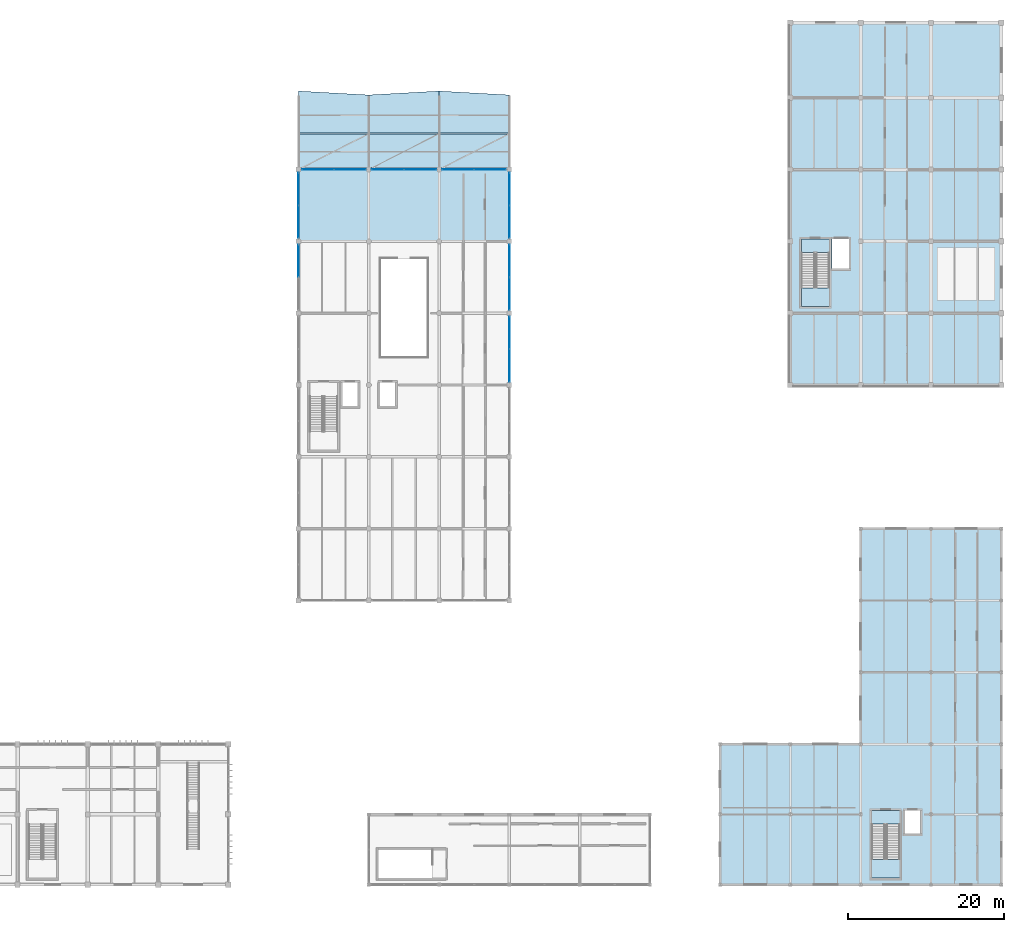
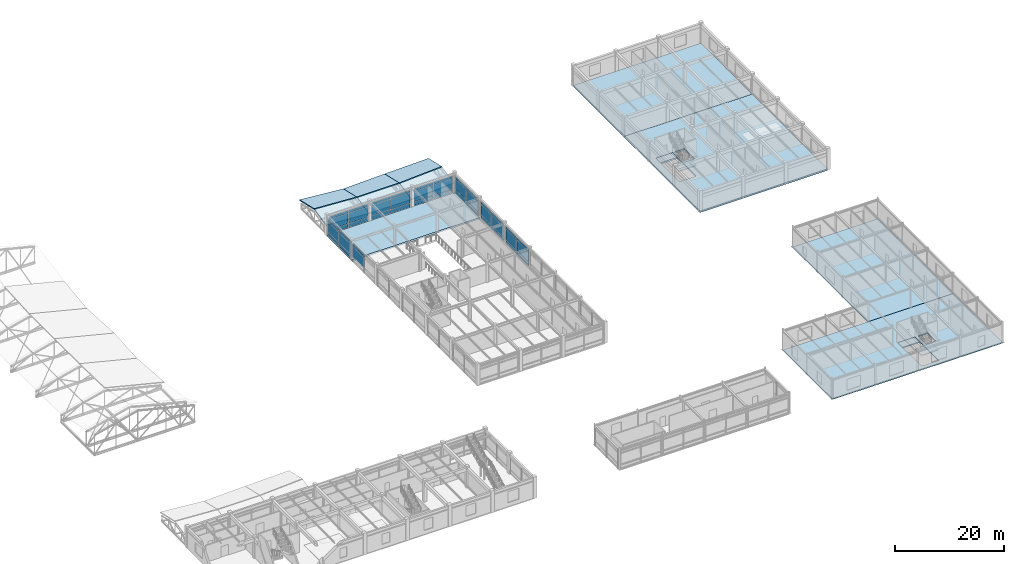
# One storey, part 37 of 61: 44 plates, 15 slabs, 10 elements without a shape of their own.
"""IFC4 building model written with IfcOpenShell, lengths in metres."""

from ifc_helpers import new_model, si_unit, direction, frame, origin, origin_2d, place, context, subcontext, project, spatial, polyline, rectangle, outline, extrude, material, layer, layer_set, type_object, element, aggregate, save


model = new_model("IFC4")

# Units and contexts
model_context = context("Model", 3, precision=1e-05, world=origin(), true_north=direction((0.0, 1.0)))
body_context = subcontext(model_context, "Body", "Model", "MODEL_VIEW")
ifc_project = project(units=[si_unit("LENGTHUNIT", "METRE"), si_unit("AREAUNIT", "SQUARE_METRE"), si_unit("VOLUMEUNIT", "CUBIC_METRE"), si_unit("PLANEANGLEUNIT", "RADIAN"), si_unit("MASSUNIT", "GRAM", prefix="KILO")], contexts=[model_context])

# Site, building, storey
site_placement = place(None, origin())
site = spatial("IfcSite", under=ifc_project, at=site_placement, CompositionType="ELEMENT")
building_placement = place(site_placement, origin())
building = spatial("IfcBuilding", under=site, at=building_placement, Name="Bozkorgan Art Gallery", CompositionType="ELEMENT")
storey_placement = place(building_placement, frame((0.0, 0.0, 10.199951171875)))
storey = spatial("IfcBuildingStorey", under=building, at=storey_placement, Name="L02", CompositionType="ELEMENT", Elevation=10.199951171875)

# Curtain wall, plates
ifc_material_1 = material(Name="Anodised Bronze Aluminium", Category="aluminium")
curtain_wall_type_1 = type_object("IfcCurtainWallType", Name="CW-CW-65", PredefinedType="NOTDEFINED", material=ifc_material_1)
curtain_wall_1_placement = place(storey_placement, origin())
curtain_wall_1 = element("IfcCurtainWall", 1, at=curtain_wall_1_placement, inside=storey, type_object=curtain_wall_type_1, Name="L02 unitised curtain wall CW-V4-L02-1N-02", PredefinedType="NOTDEFINED")
ifc_material_2 = material(Name="Triple Low-E Laminated Glass", Category="glass")
ifc_layer_1 = layer(ifc_material_2, 0.0439453125, Name="Triple Low-E Laminated Glass")
ifc_layer_set_1 = layer_set([ifc_layer_1], Name="Triple Low-E Laminated Glass")
plate_type = type_object("IfcPlateType", Name="CWP-GLZ", PredefinedType="CURTAIN_PANEL", material=ifc_layer_set_1)
plate_1_placement = place(storey_placement, frame((76.4638671875, 93.60009765625, 0.094970703125), z_axis=(0.0, 0.0, 1.0), x_axis=(1.0, 0.0, 0.0)))
plate_1 = element("IfcPlate", 2, at=plate_1_placement, type_object=plate_type, Name="CW-65 panel 1.1", PredefinedType="CURTAIN_PANEL", context=body_context, shape_type="SweptSolid", body=[
    extrude(rectangle(XDim=4.047607421875, YDim=0.0439453125, at=origin_2d()), origin(), (0.0, 0.0, 1.0), 0.78759765625),
])
plate_2_placement = place(storey_placement, frame((76.4638671875, 93.60009765625, 0.95751953125), z_axis=(0.0, 0.0, 1.0), x_axis=(1.0, 0.0, 0.0)))
plate_2 = element("IfcPlate", 3, at=plate_2_placement, type_object=plate_type, Name="CW-65 panel 1.2", PredefinedType="CURTAIN_PANEL", context=body_context, shape_type="SweptSolid", body=[
    extrude(rectangle(XDim=4.047607421875, YDim=0.0439453125, at=origin_2d()), origin(), (0.0, 0.0, 1.0), 2.280029296875),
])
plate_3_placement = place(storey_placement, frame((76.4638671875, 93.60009765625, 3.3125), z_axis=(0.0, 0.0, 1.0), x_axis=(1.0, 0.0, 0.0)))
plate_3 = element("IfcPlate", 4, at=plate_3_placement, type_object=plate_type, Name="CW-65 panel 1.3", PredefinedType="CURTAIN_PANEL", context=body_context, shape_type="SweptSolid", body=[
    extrude(rectangle(XDim=4.047607421875, YDim=0.0439453125, at=origin_2d()), origin(), (0.0, 0.0, 1.0), 0.53759765625),
])
plate_4_placement = place(storey_placement, frame((80.586181640625, 93.60009765625, 0.094970703125), z_axis=(0.0, 0.0, 1.0), x_axis=(1.0, 0.0, 0.0)))
plate_4 = element("IfcPlate", 5, at=plate_4_placement, type_object=plate_type, Name="CW-65 panel 2.1", PredefinedType="CURTAIN_PANEL", context=body_context, shape_type="SweptSolid", body=[
    extrude(rectangle(XDim=4.047607421875, YDim=0.0439453125, at=origin_2d()), origin(), (0.0, 0.0, 1.0), 0.78759765625),
])
plate_5_placement = place(storey_placement, frame((80.586181640625, 93.60009765625, 0.95751953125), z_axis=(0.0, 0.0, 1.0), x_axis=(1.0, 0.0, 0.0)))
plate_5 = element("IfcPlate", 6, at=plate_5_placement, type_object=plate_type, Name="CW-65 panel 2.2", PredefinedType="CURTAIN_PANEL", context=body_context, shape_type="SweptSolid", body=[
    extrude(rectangle(XDim=4.047607421875, YDim=0.0439453125, at=origin_2d()), origin(), (0.0, 0.0, 1.0), 2.280029296875),
])
plate_6_placement = place(storey_placement, frame((80.586181640625, 93.60009765625, 3.3125), z_axis=(0.0, 0.0, 1.0), x_axis=(1.0, 0.0, 0.0)))
plate_6 = element("IfcPlate", 7, at=plate_6_placement, type_object=plate_type, Name="CW-65 panel 2.3", PredefinedType="CURTAIN_PANEL", context=body_context, shape_type="SweptSolid", body=[
    extrude(rectangle(XDim=4.047607421875, YDim=0.0439453125, at=origin_2d()), origin(), (0.0, 0.0, 1.0), 0.53759765625),
])
aggregate(curtain_wall_1, [plate_1, plate_2, plate_3, plate_4, plate_5, plate_6])

curtain_wall_type_2 = type_object("IfcCurtainWallType", Name="CW-CW-43", PredefinedType="NOTDEFINED", material=ifc_material_1)
curtain_wall_2_placement = place(storey_placement, origin())
curtain_wall_2 = element("IfcCurtainWall", 8, at=curtain_wall_2_placement, inside=storey, type_object=curtain_wall_type_2, Name="L02 unitised curtain wall CW-V4-L02-1N-04", PredefinedType="NOTDEFINED")
plate_7_placement = place(storey_placement, frame((85.42626953125, 93.60009765625, 0.10009765625), z_axis=(0.0, 0.0, 1.0), x_axis=(1.0, 0.0, 0.0)))
plate_7 = element("IfcPlate", 9, at=plate_7_placement, type_object=plate_type, Name="CW-43 panel 1.1", PredefinedType="CURTAIN_PANEL", context=body_context, shape_type="SweptSolid", body=[
    extrude(rectangle(XDim=4.072509765625, YDim=0.0439453125, at=origin_2d()), origin(), (0.0, 0.0, 1.0), 0.780029296875),
])
plate_8_placement = place(storey_placement, frame((85.42626953125, 93.60009765625, 0.960205078125), z_axis=(0.0, 0.0, 1.0), x_axis=(1.0, 0.0, 0.0)))
plate_8 = element("IfcPlate", 10, at=plate_8_placement, type_object=plate_type, Name="CW-43 panel 1.2", PredefinedType="CURTAIN_PANEL", context=body_context, shape_type="SweptSolid", body=[
    extrude(rectangle(XDim=4.072509765625, YDim=0.0439453125, at=origin_2d()), origin(), (0.0, 0.0, 1.0), 2.27490234375),
])
plate_9_placement = place(storey_placement, frame((85.42626953125, 93.60009765625, 3.31494140625), z_axis=(0.0, 0.0, 1.0), x_axis=(1.0, 0.0, 0.0)))
plate_9 = element("IfcPlate", 11, at=plate_9_placement, type_object=plate_type, Name="CW-43 panel 1.3", PredefinedType="CURTAIN_PANEL", context=body_context, shape_type="SweptSolid", body=[
    extrude(rectangle(XDim=4.072509765625, YDim=0.0439453125, at=origin_2d()), origin(), (0.0, 0.0, 1.0), 0.530029296875),
])
plate_10_placement = place(storey_placement, frame((89.57373046875, 93.60009765625, 0.10009765625), z_axis=(0.0, 0.0, 1.0), x_axis=(1.0, 0.0, 0.0)))
plate_10 = element("IfcPlate", 12, at=plate_10_placement, type_object=plate_type, Name="CW-43 panel 2.1", PredefinedType="CURTAIN_PANEL", context=body_context, shape_type="SweptSolid", body=[
    extrude(rectangle(XDim=4.072509765625, YDim=0.0439453125, at=origin_2d()), origin(), (0.0, 0.0, 1.0), 0.780029296875),
])
plate_11_placement = place(storey_placement, frame((89.57373046875, 93.60009765625, 0.960205078125), z_axis=(0.0, 0.0, 1.0), x_axis=(1.0, 0.0, 0.0)))
plate_11 = element("IfcPlate", 13, at=plate_11_placement, type_object=plate_type, Name="CW-43 panel 2.2", PredefinedType="CURTAIN_PANEL", context=body_context, shape_type="SweptSolid", body=[
    extrude(rectangle(XDim=4.072509765625, YDim=0.0439453125, at=origin_2d()), origin(), (0.0, 0.0, 1.0), 2.27490234375),
])
plate_12_placement = place(storey_placement, frame((89.57373046875, 93.60009765625, 3.31494140625), z_axis=(0.0, 0.0, 1.0), x_axis=(1.0, 0.0, 0.0)))
plate_12 = element("IfcPlate", 14, at=plate_12_placement, type_object=plate_type, Name="CW-43 panel 2.3", PredefinedType="CURTAIN_PANEL", context=body_context, shape_type="SweptSolid", body=[
    extrude(rectangle(XDim=4.072509765625, YDim=0.0439453125, at=origin_2d()), origin(), (0.0, 0.0, 1.0), 0.530029296875),
])
aggregate(curtain_wall_2, [plate_7, plate_8, plate_9, plate_10, plate_11, plate_12])

curtain_wall_3_placement = place(storey_placement, origin())
curtain_wall_3 = element("IfcCurtainWall", 15, at=curtain_wall_3_placement, inside=storey, type_object=curtain_wall_type_1, Name="L02 unitised curtain wall CW-V4-L02-1N-06", PredefinedType="NOTDEFINED")
plate_13_placement = place(storey_placement, frame((94.413818359375, 93.60009765625, 0.094970703125), z_axis=(0.0, 0.0, 1.0), x_axis=(1.0, 0.0, 0.0)))
plate_13 = element("IfcPlate", 16, at=plate_13_placement, type_object=plate_type, Name="CW-65 panel 1.1", PredefinedType="CURTAIN_PANEL", context=body_context, shape_type="SweptSolid", body=[
    extrude(rectangle(XDim=4.047607421875, YDim=0.0439453125, at=origin_2d()), origin(), (0.0, 0.0, 1.0), 0.78759765625),
])
plate_14_placement = place(storey_placement, frame((94.413818359375, 93.60009765625, 0.95751953125), z_axis=(0.0, 0.0, 1.0), x_axis=(1.0, 0.0, 0.0)))
plate_14 = element("IfcPlate", 17, at=plate_14_placement, type_object=plate_type, Name="CW-65 panel 1.2", PredefinedType="CURTAIN_PANEL", context=body_context, shape_type="SweptSolid", body=[
    extrude(rectangle(XDim=4.047607421875, YDim=0.0439453125, at=origin_2d()), origin(), (0.0, 0.0, 1.0), 2.280029296875),
])
plate_15_placement = place(storey_placement, frame((94.413818359375, 93.60009765625, 3.3125), z_axis=(0.0, 0.0, 1.0), x_axis=(1.0, 0.0, 0.0)))
plate_15 = element("IfcPlate", 18, at=plate_15_placement, type_object=plate_type, Name="CW-65 panel 1.3", PredefinedType="CURTAIN_PANEL", context=body_context, shape_type="SweptSolid", body=[
    extrude(rectangle(XDim=4.047607421875, YDim=0.0439453125, at=origin_2d()), origin(), (0.0, 0.0, 1.0), 0.53759765625),
])
plate_16_placement = place(storey_placement, frame((98.5361328125, 93.60009765625, 0.094970703125), z_axis=(0.0, 0.0, 1.0), x_axis=(1.0, 0.0, 0.0)))
plate_16 = element("IfcPlate", 19, at=plate_16_placement, type_object=plate_type, Name="CW-65 panel 2.1", PredefinedType="CURTAIN_PANEL", context=body_context, shape_type="SweptSolid", body=[
    extrude(rectangle(XDim=4.047607421875, YDim=0.0439453125, at=origin_2d()), origin(), (0.0, 0.0, 1.0), 0.78759765625),
])
plate_17_placement = place(storey_placement, frame((98.5361328125, 93.60009765625, 0.95751953125), z_axis=(0.0, 0.0, 1.0), x_axis=(1.0, 0.0, 0.0)))
plate_17 = element("IfcPlate", 20, at=plate_17_placement, type_object=plate_type, Name="CW-65 panel 2.2", PredefinedType="CURTAIN_PANEL", context=body_context, shape_type="SweptSolid", body=[
    extrude(rectangle(XDim=4.047607421875, YDim=0.0439453125, at=origin_2d()), origin(), (0.0, 0.0, 1.0), 2.280029296875),
])
plate_18_placement = place(storey_placement, frame((98.5361328125, 93.60009765625, 3.3125), z_axis=(0.0, 0.0, 1.0), x_axis=(1.0, 0.0, 0.0)))
plate_18 = element("IfcPlate", 21, at=plate_18_placement, type_object=plate_type, Name="CW-65 panel 2.3", PredefinedType="CURTAIN_PANEL", context=body_context, shape_type="SweptSolid", body=[
    extrude(rectangle(XDim=4.047607421875, YDim=0.0439453125, at=origin_2d()), origin(), (0.0, 0.0, 1.0), 0.53759765625),
])
aggregate(curtain_wall_3, [plate_13, plate_14, plate_15, plate_16, plate_17, plate_18])

curtain_wall_type_3 = type_object("IfcCurtainWallType", Name="CW-CW-99", PredefinedType="NOTDEFINED", material=ifc_material_1)
curtain_wall_4_placement = place(storey_placement, origin())
curtain_wall_4 = element("IfcCurtainWall", 22, at=curtain_wall_4_placement, inside=storey, type_object=curtain_wall_type_3, Name="L02 unitised curtain wall CW-V4-L02-1E-14", PredefinedType="NOTDEFINED")
plate_19_placement = place(storey_placement, frame((101.0, 68.501220703125, 0.10009765625), z_axis=(0.0, 0.0, 1.0), x_axis=(0.0, 1.0, 0.0)))
plate_19 = element("IfcPlate", 23, at=plate_19_placement, type_object=plate_type, Name="CW-99 panel 1.1", PredefinedType="CURTAIN_PANEL", context=body_context, shape_type="SweptSolid", body=[
    extrude(rectangle(XDim=4.12255859375, YDim=0.0439453125, at=origin_2d()), origin(), (0.0, 0.0, 1.0), 0.780029296875),
])
plate_20_placement = place(storey_placement, frame((101.0, 68.501220703125, 0.960205078125), z_axis=(0.0, 0.0, 1.0), x_axis=(0.0, 1.0, 0.0)))
plate_20 = element("IfcPlate", 24, at=plate_20_placement, type_object=plate_type, Name="CW-99 panel 1.2", PredefinedType="CURTAIN_PANEL", context=body_context, shape_type="SweptSolid", body=[
    extrude(rectangle(XDim=4.12255859375, YDim=0.0439453125, at=origin_2d()), origin(), (0.0, 0.0, 1.0), 2.27490234375),
])
plate_21_placement = place(storey_placement, frame((101.0, 68.501220703125, 3.31494140625), z_axis=(0.0, 0.0, 1.0), x_axis=(0.0, 1.0, 0.0)))
plate_21 = element("IfcPlate", 25, at=plate_21_placement, type_object=plate_type, Name="CW-99 panel 1.3", PredefinedType="CURTAIN_PANEL", context=body_context, shape_type="SweptSolid", body=[
    extrude(rectangle(XDim=4.12255859375, YDim=0.0439453125, at=origin_2d()), origin(), (0.0, 0.0, 1.0), 0.530029296875),
])
plate_22_placement = place(storey_placement, frame((101.0, 72.69873046875, 0.10009765625), z_axis=(0.0, 0.0, 1.0), x_axis=(0.0, 1.0, 0.0)))
plate_22 = element("IfcPlate", 26, at=plate_22_placement, type_object=plate_type, Name="CW-99 panel 2.1", PredefinedType="CURTAIN_PANEL", context=body_context, shape_type="SweptSolid", body=[
    extrude(rectangle(XDim=4.12255859375, YDim=0.0439453125, at=origin_2d()), origin(), (0.0, 0.0, 1.0), 0.780029296875),
])
plate_23_placement = place(storey_placement, frame((101.0, 72.69873046875, 0.960205078125), z_axis=(0.0, 0.0, 1.0), x_axis=(0.0, 1.0, 0.0)))
plate_23 = element("IfcPlate", 27, at=plate_23_placement, type_object=plate_type, Name="CW-99 panel 2.2", PredefinedType="CURTAIN_PANEL", context=body_context, shape_type="SweptSolid", body=[
    extrude(rectangle(XDim=4.12255859375, YDim=0.0439453125, at=origin_2d()), origin(), (0.0, 0.0, 1.0), 2.27490234375),
])
plate_24_placement = place(storey_placement, frame((101.0, 72.69873046875, 3.31494140625), z_axis=(0.0, 0.0, 1.0), x_axis=(0.0, 1.0, 0.0)))
plate_24 = element("IfcPlate", 28, at=plate_24_placement, type_object=plate_type, Name="CW-99 panel 2.3", PredefinedType="CURTAIN_PANEL", context=body_context, shape_type="SweptSolid", body=[
    extrude(rectangle(XDim=4.12255859375, YDim=0.0439453125, at=origin_2d()), origin(), (0.0, 0.0, 1.0), 0.530029296875),
])
aggregate(curtain_wall_4, [plate_19, plate_20, plate_21, plate_22, plate_23, plate_24])

curtain_wall_5_placement = place(storey_placement, origin())
curtain_wall_5 = element("IfcCurtainWall", 29, at=curtain_wall_5_placement, inside=storey, type_object=curtain_wall_type_3, Name="L02 unitised curtain wall CW-V4-L02-1W-15", PredefinedType="NOTDEFINED")
plate_25_placement = place(storey_placement, frame((74.0, 81.898681640625, 0.960205078125), z_axis=(0.0, 0.0, 1.0), x_axis=(0.0, 1.0, 0.0)))
plate_25 = element("IfcPlate", 30, at=plate_25_placement, type_object=plate_type, Name="CW-99 panel 2.2", PredefinedType="CURTAIN_PANEL", context=body_context, shape_type="SweptSolid", body=[
    extrude(rectangle(XDim=4.12255859375, YDim=0.0439453125, at=origin_2d()), origin(), (0.0, 0.0, 1.0), 2.27490234375),
])
plate_26_placement = place(storey_placement, frame((74.0, 81.898681640625, 3.31494140625), z_axis=(0.0, 0.0, 1.0), x_axis=(0.0, 1.0, 0.0)))
plate_26 = element("IfcPlate", 31, at=plate_26_placement, type_object=plate_type, Name="CW-99 panel 2.3", PredefinedType="CURTAIN_PANEL", context=body_context, shape_type="SweptSolid", body=[
    extrude(rectangle(XDim=4.12255859375, YDim=0.0439453125, at=origin_2d()), origin(), (0.0, 0.0, 1.0), 0.530029296875),
])
aggregate(curtain_wall_5, [plate_25, plate_26])

curtain_wall_6_placement = place(storey_placement, origin())
curtain_wall_6 = element("IfcCurtainWall", 32, at=curtain_wall_6_placement, inside=storey, type_object=curtain_wall_type_3, Name="L02 unitised curtain wall CW-V4-L02-1E-16", PredefinedType="NOTDEFINED")
plate_27_placement = place(storey_placement, frame((101.0, 77.701171875, 0.10009765625), z_axis=(0.0, 0.0, 1.0), x_axis=(0.0, 1.0, 0.0)))
plate_27 = element("IfcPlate", 33, at=plate_27_placement, type_object=plate_type, Name="CW-99 panel 1.1", PredefinedType="CURTAIN_PANEL", context=body_context, shape_type="SweptSolid", body=[
    extrude(rectangle(XDim=4.12255859375, YDim=0.0439453125, at=origin_2d()), origin(), (0.0, 0.0, 1.0), 0.780029296875),
])
plate_28_placement = place(storey_placement, frame((101.0, 77.701171875, 0.960205078125), z_axis=(0.0, 0.0, 1.0), x_axis=(0.0, 1.0, 0.0)))
plate_28 = element("IfcPlate", 34, at=plate_28_placement, type_object=plate_type, Name="CW-99 panel 1.2", PredefinedType="CURTAIN_PANEL", context=body_context, shape_type="SweptSolid", body=[
    extrude(rectangle(XDim=4.12255859375, YDim=0.0439453125, at=origin_2d()), origin(), (0.0, 0.0, 1.0), 2.27490234375),
])
plate_29_placement = place(storey_placement, frame((101.0, 77.701171875, 3.31494140625), z_axis=(0.0, 0.0, 1.0), x_axis=(0.0, 1.0, 0.0)))
plate_29 = element("IfcPlate", 35, at=plate_29_placement, type_object=plate_type, Name="CW-99 panel 1.3", PredefinedType="CURTAIN_PANEL", context=body_context, shape_type="SweptSolid", body=[
    extrude(rectangle(XDim=4.12255859375, YDim=0.0439453125, at=origin_2d()), origin(), (0.0, 0.0, 1.0), 0.530029296875),
])
plate_30_placement = place(storey_placement, frame((101.0, 81.898681640625, 0.10009765625), z_axis=(0.0, 0.0, 1.0), x_axis=(0.0, 1.0, 0.0)))
plate_30 = element("IfcPlate", 36, at=plate_30_placement, type_object=plate_type, Name="CW-99 panel 2.1", PredefinedType="CURTAIN_PANEL", context=body_context, shape_type="SweptSolid", body=[
    extrude(rectangle(XDim=4.12255859375, YDim=0.0439453125, at=origin_2d()), origin(), (0.0, 0.0, 1.0), 0.780029296875),
])
plate_31_placement = place(storey_placement, frame((101.0, 81.898681640625, 0.960205078125), z_axis=(0.0, 0.0, 1.0), x_axis=(0.0, 1.0, 0.0)))
plate_31 = element("IfcPlate", 37, at=plate_31_placement, type_object=plate_type, Name="CW-99 panel 2.2", PredefinedType="CURTAIN_PANEL", context=body_context, shape_type="SweptSolid", body=[
    extrude(rectangle(XDim=4.12255859375, YDim=0.0439453125, at=origin_2d()), origin(), (0.0, 0.0, 1.0), 2.27490234375),
])
plate_32_placement = place(storey_placement, frame((101.0, 81.898681640625, 3.31494140625), z_axis=(0.0, 0.0, 1.0), x_axis=(0.0, 1.0, 0.0)))
plate_32 = element("IfcPlate", 38, at=plate_32_placement, type_object=plate_type, Name="CW-99 panel 2.3", PredefinedType="CURTAIN_PANEL", context=body_context, shape_type="SweptSolid", body=[
    extrude(rectangle(XDim=4.12255859375, YDim=0.0439453125, at=origin_2d()), origin(), (0.0, 0.0, 1.0), 0.530029296875),
])
aggregate(curtain_wall_6, [plate_27, plate_28, plate_29, plate_30, plate_31, plate_32])

curtain_wall_7_placement = place(storey_placement, origin())
curtain_wall_7 = element("IfcCurtainWall", 39, at=curtain_wall_7_placement, inside=storey, type_object=curtain_wall_type_3, Name="L02 unitised curtain wall CW-V4-L02-1W-17", PredefinedType="NOTDEFINED")
plate_33_placement = place(storey_placement, frame((74.0, 86.9013671875, 0.10009765625), z_axis=(0.0, 0.0, 1.0), x_axis=(0.0, 1.0, 0.0)))
plate_33 = element("IfcPlate", 40, at=plate_33_placement, type_object=plate_type, Name="CW-99 panel 1.1", PredefinedType="CURTAIN_PANEL", context=body_context, shape_type="SweptSolid", body=[
    extrude(rectangle(XDim=4.12255859375, YDim=0.0439453125, at=origin_2d()), origin(), (0.0, 0.0, 1.0), 0.780029296875),
])
plate_34_placement = place(storey_placement, frame((74.0, 86.9013671875, 0.960205078125), z_axis=(0.0, 0.0, 1.0), x_axis=(0.0, 1.0, 0.0)))
plate_34 = element("IfcPlate", 41, at=plate_34_placement, type_object=plate_type, Name="CW-99 panel 1.2", PredefinedType="CURTAIN_PANEL", context=body_context, shape_type="SweptSolid", body=[
    extrude(rectangle(XDim=4.12255859375, YDim=0.0439453125, at=origin_2d()), origin(), (0.0, 0.0, 1.0), 2.27490234375),
])
plate_35_placement = place(storey_placement, frame((74.0, 86.9013671875, 3.31494140625), z_axis=(0.0, 0.0, 1.0), x_axis=(0.0, 1.0, 0.0)))
plate_35 = element("IfcPlate", 42, at=plate_35_placement, type_object=plate_type, Name="CW-99 panel 1.3", PredefinedType="CURTAIN_PANEL", context=body_context, shape_type="SweptSolid", body=[
    extrude(rectangle(XDim=4.12255859375, YDim=0.0439453125, at=origin_2d()), origin(), (0.0, 0.0, 1.0), 0.530029296875),
])
plate_36_placement = place(storey_placement, frame((74.0, 91.0986328125, 0.10009765625), z_axis=(0.0, 0.0, 1.0), x_axis=(0.0, 1.0, 0.0)))
plate_36 = element("IfcPlate", 43, at=plate_36_placement, type_object=plate_type, Name="CW-99 panel 2.1", PredefinedType="CURTAIN_PANEL", context=body_context, shape_type="SweptSolid", body=[
    extrude(rectangle(XDim=4.12255859375, YDim=0.0439453125, at=origin_2d()), origin(), (0.0, 0.0, 1.0), 0.780029296875),
])
plate_37_placement = place(storey_placement, frame((74.0, 91.0986328125, 0.960205078125), z_axis=(0.0, 0.0, 1.0), x_axis=(0.0, 1.0, 0.0)))
plate_37 = element("IfcPlate", 44, at=plate_37_placement, type_object=plate_type, Name="CW-99 panel 2.2", PredefinedType="CURTAIN_PANEL", context=body_context, shape_type="SweptSolid", body=[
    extrude(rectangle(XDim=4.12255859375, YDim=0.0439453125, at=origin_2d()), origin(), (0.0, 0.0, 1.0), 2.27490234375),
])
plate_38_placement = place(storey_placement, frame((74.0, 91.0986328125, 3.31494140625), z_axis=(0.0, 0.0, 1.0), x_axis=(0.0, 1.0, 0.0)))
plate_38 = element("IfcPlate", 45, at=plate_38_placement, type_object=plate_type, Name="CW-99 panel 2.3", PredefinedType="CURTAIN_PANEL", context=body_context, shape_type="SweptSolid", body=[
    extrude(rectangle(XDim=4.12255859375, YDim=0.0439453125, at=origin_2d()), origin(), (0.0, 0.0, 1.0), 0.530029296875),
])
aggregate(curtain_wall_7, [plate_33, plate_34, plate_35, plate_36, plate_37, plate_38])

curtain_wall_8_placement = place(storey_placement, origin())
curtain_wall_8 = element("IfcCurtainWall", 46, at=curtain_wall_8_placement, inside=storey, type_object=curtain_wall_type_3, Name="L02 unitised curtain wall CW-V4-L02-1E-18", PredefinedType="NOTDEFINED")
plate_39_placement = place(storey_placement, frame((101.0, 86.9013671875, 0.10009765625), z_axis=(0.0, 0.0, 1.0), x_axis=(0.0, 1.0, 0.0)))
plate_39 = element("IfcPlate", 47, at=plate_39_placement, type_object=plate_type, Name="CW-99 panel 1.1", PredefinedType="CURTAIN_PANEL", context=body_context, shape_type="SweptSolid", body=[
    extrude(rectangle(XDim=4.12255859375, YDim=0.0439453125, at=origin_2d()), origin(), (0.0, 0.0, 1.0), 0.780029296875),
])
plate_40_placement = place(storey_placement, frame((101.0, 86.9013671875, 0.960205078125), z_axis=(0.0, 0.0, 1.0), x_axis=(0.0, 1.0, 0.0)))
plate_40 = element("IfcPlate", 48, at=plate_40_placement, type_object=plate_type, Name="CW-99 panel 1.2", PredefinedType="CURTAIN_PANEL", context=body_context, shape_type="SweptSolid", body=[
    extrude(rectangle(XDim=4.12255859375, YDim=0.0439453125, at=origin_2d()), origin(), (0.0, 0.0, 1.0), 2.27490234375),
])
plate_41_placement = place(storey_placement, frame((101.0, 86.9013671875, 3.31494140625), z_axis=(0.0, 0.0, 1.0), x_axis=(0.0, 1.0, 0.0)))
plate_41 = element("IfcPlate", 49, at=plate_41_placement, type_object=plate_type, Name="CW-99 panel 1.3", PredefinedType="CURTAIN_PANEL", context=body_context, shape_type="SweptSolid", body=[
    extrude(rectangle(XDim=4.12255859375, YDim=0.0439453125, at=origin_2d()), origin(), (0.0, 0.0, 1.0), 0.530029296875),
])
plate_42_placement = place(storey_placement, frame((101.0, 91.0986328125, 0.10009765625), z_axis=(0.0, 0.0, 1.0), x_axis=(0.0, 1.0, 0.0)))
plate_42 = element("IfcPlate", 50, at=plate_42_placement, type_object=plate_type, Name="CW-99 panel 2.1", PredefinedType="CURTAIN_PANEL", context=body_context, shape_type="SweptSolid", body=[
    extrude(rectangle(XDim=4.12255859375, YDim=0.0439453125, at=origin_2d()), origin(), (0.0, 0.0, 1.0), 0.780029296875),
])
plate_43_placement = place(storey_placement, frame((101.0, 91.0986328125, 0.960205078125), z_axis=(0.0, 0.0, 1.0), x_axis=(0.0, 1.0, 0.0)))
plate_43 = element("IfcPlate", 51, at=plate_43_placement, type_object=plate_type, Name="CW-99 panel 2.2", PredefinedType="CURTAIN_PANEL", context=body_context, shape_type="SweptSolid", body=[
    extrude(rectangle(XDim=4.12255859375, YDim=0.0439453125, at=origin_2d()), origin(), (0.0, 0.0, 1.0), 2.27490234375),
])
plate_44_placement = place(storey_placement, frame((101.0, 91.0986328125, 3.31494140625), z_axis=(0.0, 0.0, 1.0), x_axis=(0.0, 1.0, 0.0)))
plate_44 = element("IfcPlate", 52, at=plate_44_placement, type_object=plate_type, Name="CW-99 panel 2.3", PredefinedType="CURTAIN_PANEL", context=body_context, shape_type="SweptSolid", body=[
    extrude(rectangle(XDim=4.12255859375, YDim=0.0439453125, at=origin_2d()), origin(), (0.0, 0.0, 1.0), 0.530029296875),
])
aggregate(curtain_wall_8, [plate_39, plate_40, plate_41, plate_42, plate_43, plate_44])

# Stair, slab
ifc_material_3 = material(Name="Concrete C35/45", Category="concrete")
stair_type_1 = type_object("IfcStairType", Name="STAIR-CORE3", PredefinedType="HALF_TURN_STAIR", material=ifc_material_3)
stair_1_placement = place(storey_placement, origin())
stair_1 = element("IfcStair", 53, at=stair_1_placement, inside=storey, type_object=stair_type_1, Name="L02 ST3 Core Stair", PredefinedType="HALF_TURN_STAIR")
ifc_layer_2 = layer(ifc_material_3, 0.25, Name="Concrete C35/45")
ifc_layer_set_2 = layer_set([ifc_layer_2], Name="Concrete C35/45")
slab_type_1 = type_object("IfcSlabType", Name="LAND-CORE3", PredefinedType="LANDING", material=ifc_layer_set_2)
slab_1_placement = place(storey_placement, frame((0.0, 0.0, 2.199951171875)))
slab_1 = element("IfcSlab", 54, at=slab_1_placement, type_object=slab_type_1, Name="ST3 landing 1", PredefinedType="LANDING", context=body_context, shape_type="SweptSolid", body=[
    extrude(outline(polyline([(138.39990234375, 78.449951171875), (138.39990234375, 76.050048828125), (142.0, 76.050048828125), (142.0, 78.449951171875), (138.39990234375, 78.449951171875)])), origin(), (0.0, 0.0, 1.0), 0.2001953125),
])
aggregate(stair_1, [slab_1])

# Slab
slab_2_placement = place(storey_placement, frame((0.0, 0.0, -0.35986328125)))
element("IfcSlab", 55, at=slab_2_placement, inside=storey, type_object=slab_type_1, Name="ST3 L02 floor landing", PredefinedType="LANDING", context=body_context, shape_type="SweptSolid", body=[
    extrude(outline(polyline([(138.39990234375, 82.949951171875), (142.0, 82.949951171875), (142.0, 84.699951171875), (138.39990234375, 84.699951171875), (138.39990234375, 82.949951171875)])), origin(), (0.0, 0.0, 1.0), 0.35986328125),
])

# Stair, slab
stair_type_2 = type_object("IfcStairType", Name="STAIR-CORE4", PredefinedType="HALF_TURN_STAIR", material=ifc_material_3)
stair_2_placement = place(storey_placement, origin())
stair_2 = element("IfcStair", 56, at=stair_2_placement, inside=storey, type_object=stair_type_2, Name="L02 ST4 Core Stair", PredefinedType="HALF_TURN_STAIR")
ifc_layer_3 = layer(ifc_material_3, 0.25, Name="Concrete C35/45")
ifc_layer_set_3 = layer_set([ifc_layer_3], Name="Concrete C35/45")
slab_type_2 = type_object("IfcSlabType", Name="LAND-CORE4", PredefinedType="LANDING", material=ifc_layer_set_3)
slab_3_placement = place(storey_placement, frame((0.0, 0.0, 2.199951171875)))
slab_3 = element("IfcSlab", 57, at=slab_3_placement, type_object=slab_type_2, Name="ST4 landing 1", PredefinedType="LANDING", context=body_context, shape_type="SweptSolid", body=[
    extrude(outline(polyline([(147.39990234375, 5.25), (147.39990234375, 2.85009765625), (151.0, 2.85009765625), (151.0, 5.25), (147.39990234375, 5.25)])), origin(), (0.0, 0.0, 1.0), 0.2001953125),
])
aggregate(stair_2, [slab_3])

# Slabs
slab_4_placement = place(storey_placement, frame((0.0, 0.0, -0.239990234375)))
element("IfcSlab", 58, at=slab_4_placement, inside=storey, type_object=slab_type_2, Name="ST4 L02 floor landing", PredefinedType="LANDING", context=body_context, shape_type="SweptSolid", body=[
    extrude(outline(polyline([(147.39990234375, 9.75), (151.0, 9.75), (151.0, 11.5), (147.39990234375, 11.5), (147.39990234375, 9.75)])), origin(), (0.0, 0.0, 1.0), 0.239990234375),
])
ifc_layer_4 = layer(ifc_material_3, 0.219970703125, Name="Concrete C35/45")
ifc_layer_set_4 = layer_set([ifc_layer_4], Name="Concrete C35/45")
slab_type_3 = type_object("IfcSlabType", Name="SLAB-RF-44", PredefinedType="ROOF", material=ifc_layer_set_4)
slab_5_placement = place(storey_placement, frame((74.0, 93.85009765625, 2.015869140625), z_axis=(0.056999095142, -0.224591426044, 0.972784557084), x_axis=(0.998287793766, 0.0, -0.058493425416)))
element("IfcSlab", 59, at=slab_5_placement, inside=storey, type_object=slab_type_3, Name="ROOF-V4-STEP2 swept-eave pitched roof slab 1S", PredefinedType="ROOF", context=body_context, shape_type="SweptSolid", body=[
    extrude(outline(polyline([(0.0, 0.0), (9.015436286207343, -1.3877787807814457e-17), (8.957771136834829, 4.381965509372402), (-0.05766514937251508, 4.381965509372402), (0.0, 0.0)])), origin(), (0.0, 0.0, -1.0), 0.219970703125),
])
slab_6_placement = place(storey_placement, frame((74.0, 98.280029296875, 3.001708984375), z_axis=(0.056996759001, 0.224583743415, 0.972786467657), x_axis=(0.998287933064, 5.4886e-07, -0.058491048026)))
element("IfcSlab", 60, at=slab_6_placement, inside=storey, type_object=slab_type_3, Name="ROOF-V4-STEP2 swept-eave pitched roof slab 1N", PredefinedType="ROOF", context=body_context, shape_type="SweptSolid", body=[
    extrude(outline(polyline([(0.0, 0.0), (9.015436286180423, -1.3877787807814457e-17), (9.08119854796315, 4.997531030853378), (0.07251699561591787, 5.510648618936285), (0.0, 0.0)])), origin(), (0.0, 0.0, -1.0), 0.219970703125),
])
slab_7_placement = place(storey_placement, frame((83.0, 93.85009765625, 1.488525390625), z_axis=(0.0, -0.224957154634, 0.974368656402), x_axis=(1.0, 0.0, 0.0)))
element("IfcSlab", 61, at=slab_7_placement, inside=storey, type_object=slab_type_3, Name="ROOF-V4-STEP2 swept-eave pitched roof slab 2S", PredefinedType="ROOF", context=body_context, shape_type="SweptSolid", body=[
    extrude(outline(polyline([(0.0, 0.0), (9.0, 0.0), (9.0, 4.382344919649923), (0.0, 4.382344919649923), (0.0, 0.0)])), origin(), (0.0, 0.0, -1.0), 0.219970703125),
])
slab_8_placement = place(storey_placement, frame((83.0, 98.280029296875, 2.474365234375), z_axis=(2.452075e-06, 0.224949429444, 0.974370439918), x_axis=(0.999999999997, -5.51593e-07, -2.389229e-06)))
element("IfcSlab", 62, at=slab_8_placement, inside=storey, type_object=slab_type_3, Name="ROOF-V4-STEP2 swept-eave pitched roof slab 2N", PredefinedType="ROOF", context=body_context, shape_type="SweptSolid", body=[
    extrude(outline(polyline([(0.0, 0.0), (8.999999999972944, 0.0), (9.00000000002706, 5.511125739450694), (-5.411404325670038e-11, 4.997963693287059), (0.0, 0.0)])), origin(), (0.0, 0.0, -1.0), 0.219970703125),
])
slab_9_placement = place(storey_placement, frame((92.0, 93.85009765625, 1.488525390625), z_axis=(-0.056999095142, -0.224591426044, 0.972784557084), x_axis=(0.998287793766, 0.0, 0.058493425416)))
element("IfcSlab", 63, at=slab_9_placement, inside=storey, type_object=slab_type_3, Name="ROOF-V4-STEP2 swept-eave pitched roof slab 3S", PredefinedType="ROOF", context=body_context, shape_type="SweptSolid", body=[
    extrude(outline(polyline([(0.0, 0.0), (9.015436286207343, 1.3877787807814457e-17), (9.073101435579858, 4.381965509372402), (0.05766514937251508, 4.381965509372402), (0.0, 0.0)])), origin(), (0.0, 0.0, -1.0), 0.219970703125),
])
slab_10_placement = place(storey_placement, frame((92.0, 98.280029296875, 2.474365234375), z_axis=(-0.05700163927, 0.224583680739, 0.972786196174), x_axis=(0.998287654463, 5.48859e-07, 0.058495802805)))
element("IfcSlab", 64, at=slab_10_placement, inside=storey, type_object=slab_type_3, Name="ROOF-V4-STEP2 swept-eave pitched roof slab 3N", PredefinedType="ROOF", context=body_context, shape_type="SweptSolid", body=[
    extrude(outline(polyline([(0.0, 0.0), (9.015436286180423, 1.3877787807814457e-17), (8.949674024505388, 4.9975310308547956), (-0.07251699572360963, 5.510648618934868), (0.0, 0.0)])), origin(), (0.0, 0.0, -1.0), 0.219970703125),
])
ifc_layer_5 = layer(ifc_material_3, 0.239990234375, Name="Concrete C35/45")
ifc_layer_set_5 = layer_set([ifc_layer_5], Name="Concrete C35/45")
slab_type_4 = type_object("IfcSlabType", Name="SLAB-SL-33", PredefinedType="FLOOR", material=ifc_layer_set_5)
slab_11_placement = place(storey_placement, frame((0.0, 0.0, -0.239990234375)))
element("IfcSlab", 65, at=slab_11_placement, inside=storey, type_object=slab_type_4, Name="V6 L02 floor slab 1.1", PredefinedType="FLOOR", context=body_context, shape_type="SweptSolid", body=[
    extrude(outline(polyline([(128.0, 2.0), (164.0, 2.0), (164.0, 20.0), (128.0, 20.0), (128.0, 2.0)]), holes=[polyline([(147.39990234375, 2.85009765625), (151.0, 2.85009765625), (151.0, 11.5), (147.39990234375, 11.5), (147.39990234375, 2.85009765625)]), polyline([(151.64990234375, 8.5), (153.64990234375, 8.5), (153.64990234375, 11.5), (151.64990234375, 11.5), (151.64990234375, 8.5)])]), origin(), (0.0, 0.0, 1.0), 0.239990234375),
])
slab_12_placement = place(storey_placement, frame((0.0, 0.0, -0.239990234375)))
element("IfcSlab", 66, at=slab_12_placement, inside=storey, type_object=slab_type_4, Name="V6 L02 floor slab 2.1", PredefinedType="FLOOR", context=body_context, shape_type="SweptSolid", body=[
    extrude(outline(polyline([(146.0, 20.0), (164.0, 20.0), (164.0, 47.60009765625), (146.0, 47.60009765625), (146.0, 20.0)])), origin(), (0.0, 0.0, 1.0), 0.239990234375),
])
ifc_layer_6 = layer(ifc_material_3, 0.360107421875, Name="Concrete C35/45")
ifc_layer_set_6 = layer_set([ifc_layer_6], Name="Concrete C35/45")
slab_type_5 = type_object("IfcSlabType", Name="SLAB-SL-38", PredefinedType="FLOOR", material=ifc_layer_set_6)
slab_13_placement = place(storey_placement, frame((0.0, 0.0, -0.35986328125)))
element("IfcSlab", 67, at=slab_13_placement, inside=storey, type_object=slab_type_5, Name="V5 L02 floor slab 1.1", PredefinedType="FLOOR", context=body_context, shape_type="SweptSolid", body=[
    extrude(outline(polyline([(137.0, 66.0), (164.0, 66.0), (164.0, 93.60009765625), (137.0, 93.60009765625), (137.0, 66.0)]), holes=[polyline([(138.39990234375, 76.050048828125), (142.0, 76.050048828125), (142.0, 84.699951171875), (138.39990234375, 84.699951171875), (138.39990234375, 76.050048828125)]), polyline([(142.300048828125, 80.89990234375), (144.5, 80.89990234375), (144.5, 84.699951171875), (142.300048828125, 84.699951171875), (142.300048828125, 80.89990234375)])]), origin(), (0.0, 0.0, 1.0), 0.35986328125),
])
slab_14_placement = place(storey_placement, frame((0.0, 0.0, -0.35986328125)))
element("IfcSlab", 68, at=slab_14_placement, inside=storey, type_object=slab_type_5, Name="V5 L02 floor slab 1.2", PredefinedType="FLOOR", context=body_context, shape_type="SweptSolid", body=[
    extrude(outline(polyline([(137.0, 93.60009765625), (164.0, 93.60009765625), (164.0, 112.39990234375), (137.0, 112.39990234375), (137.0, 93.60009765625)])), origin(), (0.0, 0.0, 1.0), 0.35986328125),
])
ifc_layer_7 = layer(ifc_material_3, 0.360107421875, Name="Concrete C35/45")
ifc_layer_set_7 = layer_set([ifc_layer_7], Name="Concrete C35/45")
slab_type_6 = type_object("IfcSlabType", Name="SLAB-SL-87", PredefinedType="FLOOR", material=ifc_layer_set_7)
slab_15_placement = place(storey_placement, frame((0.0, 0.0, -0.35986328125)))
element("IfcSlab", 69, at=slab_15_placement, inside=storey, type_object=slab_type_6, Name="V4 L02 floor slab 1.2", PredefinedType="FLOOR", context=body_context, shape_type="SweptSolid", body=[
    extrude(outline(polyline([(74.0, 84.39990234375), (101.0, 84.39990234375), (101.0, 93.60009765625), (74.0, 93.60009765625), (74.0, 84.39990234375)])), origin(), (0.0, 0.0, 1.0), 0.35986328125),
])

save(model, "model.ifc")
